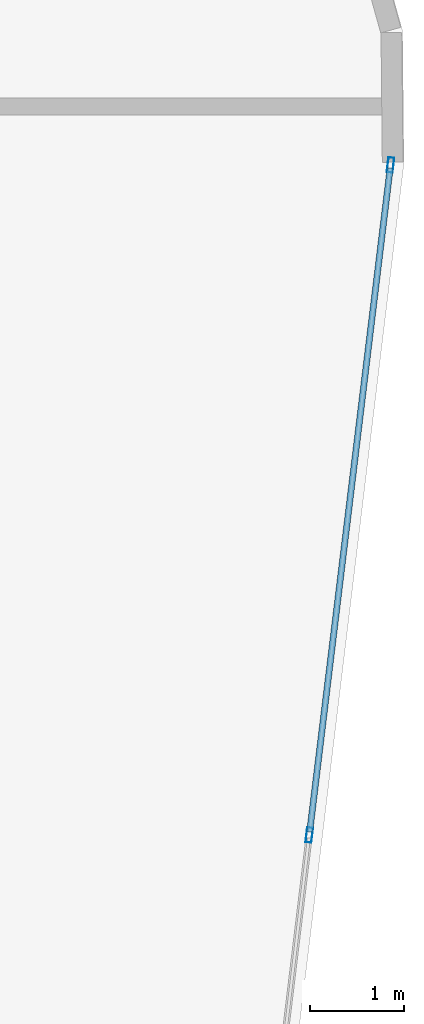
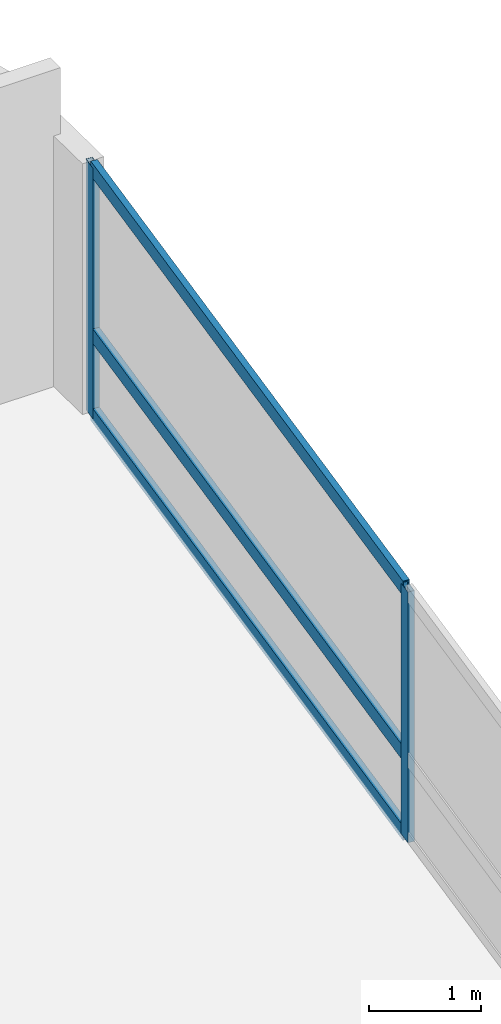
# One storey, part 18 of 25: 5 members, 1 element without a shape of its own.
"""IFC4 building model written with IfcOpenShell, lengths in metres."""

from ifc_helpers import new_model, si_unit, direction, frame, origin, origin_2d, place, context, subcontext, project, spatial, hollow_rectangle, extrude, material, layer, layer_set, material_profile, profile_set, type_object, element, aggregate, save


model = new_model("IFC4")

# Units and contexts
model_context = context("Model", 3, precision=1e-05, world=origin(), true_north=direction((0.0, 1.0)))
body_context = subcontext(model_context, "Body", "Model", "MODEL_VIEW")
ifc_project = project(units=[si_unit("LENGTHUNIT", "METRE"), si_unit("AREAUNIT", "SQUARE_METRE"), si_unit("VOLUMEUNIT", "CUBIC_METRE"), si_unit("PLANEANGLEUNIT", "RADIAN"), si_unit("MASSUNIT", "GRAM", prefix="KILO")], contexts=[model_context])

# Site, building, storey
site_placement = place(None, origin())
site = spatial("IfcSite", under=ifc_project, at=site_placement, CompositionType="ELEMENT")
building_placement = place(site_placement, origin())
building = spatial("IfcBuilding", under=site, at=building_placement, Name="Varnelok Gate Tower", CompositionType="ELEMENT")
storey_placement = place(building_placement, frame((0.0, 0.0, 140.199951171875)))
storey = spatial("IfcBuildingStorey", under=building, at=storey_placement, Name="L35", CompositionType="ELEMENT", Elevation=140.199951171875)

# Curtain wall, members
ifc_material = material(Name="Anodized Aluminum Alloy 6063-T6", Category="aluminium")
ifc_layer = layer(ifc_material, 0.179931640625)
ifc_layer_set = layer_set([ifc_layer], Name="Anodized Aluminum Alloy 6063-T6")
curtain_wall_type = type_object("IfcCurtainWallType", Name="CW3-HOTEL-VISION", PredefinedType="USERDEFINED", material=ifc_layer_set)
curtain_wall_placement = place(storey_placement, origin())
curtain_wall = element("IfcCurtainWall", 1, at=curtain_wall_placement, inside=storey, type_object=curtain_wall_type, Name="L35 East End Vision Curtain Wall", ObjectType="UNITISED CURTAIN WALL", PredefinedType="USERDEFINED")
ifc_material_profile_1 = material_profile(ifc_material, hollow_rectangle(XDim=0.06494140625, YDim=0.159912109375, WallThickness=0.00390625, at=origin_2d()), Name="ALU160X65X4")
ifc_profile_set_1 = profile_set([ifc_material_profile_1], Name="Anodized Aluminum Alloy 6063-T6")
member_type_1 = type_object("IfcMemberType", Name="CW-MULL-160", PredefinedType="MULLION", material=ifc_profile_set_1)
member_1_placement = place(storey_placement, frame((78.153076171875, 38.677001953125, 0.0), z_axis=(0.0, 0.0, 1.0), x_axis=(0.99273188146, -0.120347046212, 0.0)))
member_1 = element("IfcMember", 2, at=member_1_placement, type_object=member_type_1, Name="CW3 mullion 1", PredefinedType="MULLION", context=body_context, shape_type="SweptSolid", body=[
    extrude(hollow_rectangle(XDim=0.06494140625, YDim=0.159912109375, WallThickness=0.00390625, at=origin_2d()), origin(), (0.0, 0.0, 1.0), 2.72998046875),
])
member_2_placement = place(storey_placement, frame((77.290283203125, 31.5615234375, 0.0), z_axis=(0.0, 0.0, 1.0), x_axis=(0.99273188146, -0.120347046212, 0.0)))
member_2 = element("IfcMember", 3, at=member_2_placement, type_object=member_type_1, Name="CW3 mullion 2", PredefinedType="MULLION", context=body_context, shape_type="SweptSolid", body=[
    extrude(hollow_rectangle(XDim=0.06494140625, YDim=0.159912109375, WallThickness=0.00390625, at=origin_2d()), origin(), (0.0, 0.0, 1.0), 2.72998046875),
])
ifc_material_profile_2 = material_profile(ifc_material, hollow_rectangle(XDim=0.06494140625, YDim=0.159912109375, WallThickness=0.00390625, at=origin_2d()), Name="ALU160X65X4")
ifc_profile_set_2 = profile_set([ifc_material_profile_2], Name="Anodized Aluminum Alloy 6063-T6")
member_type_2 = type_object("IfcMemberType", Name="CW-TRAN-160", PredefinedType="USERDEFINED", material=ifc_profile_set_2)
member_3_placement = place(storey_placement, frame((78.149169921875, 38.644775390625, 0.032470703125), z_axis=(-0.120374481497, -0.992728555147, 0.0), x_axis=(0.992728555147, -0.120374481497, 0.0)))
member_3 = element("IfcMember", 4, at=member_3_placement, type_object=member_type_2, Name="CW3 transom 1.1", ObjectType="TRANSOM", PredefinedType="USERDEFINED", context=body_context, shape_type="SweptSolid", body=[
    extrude(hollow_rectangle(XDim=0.06494140625, YDim=0.159912109375, WallThickness=0.00390625, at=origin_2d()), origin(), (0.0, 0.0, 1.0), 7.102783203125),
])
member_4_placement = place(storey_placement, frame((78.149169921875, 38.644775390625, 0.900146484375), z_axis=(-0.120374481497, -0.992728555147, 0.0), x_axis=(0.992728555147, -0.120374481497, 0.0)))
member_4 = element("IfcMember", 5, at=member_4_placement, type_object=member_type_2, Name="CW3 transom 1.2", ObjectType="TRANSOM", PredefinedType="USERDEFINED", context=body_context, shape_type="SweptSolid", body=[
    extrude(hollow_rectangle(XDim=0.06494140625, YDim=0.159912109375, WallThickness=0.00390625, at=origin_2d()), origin(), (0.0, 0.0, 1.0), 7.102783203125),
])
member_5_placement = place(storey_placement, frame((78.149169921875, 38.644775390625, 2.697509765625), z_axis=(-0.120374481497, -0.992728555147, 0.0), x_axis=(0.992728555147, -0.120374481497, 0.0)))
member_5 = element("IfcMember", 6, at=member_5_placement, type_object=member_type_2, Name="CW3 transom 1.3", ObjectType="TRANSOM", PredefinedType="USERDEFINED", context=body_context, shape_type="SweptSolid", body=[
    extrude(hollow_rectangle(XDim=0.06494140625, YDim=0.159912109375, WallThickness=0.00390625, at=origin_2d()), origin(), (0.0, 0.0, 1.0), 7.102783203125),
])
aggregate(curtain_wall, [member_1, member_2, member_3, member_4, member_5])

save(model, "model.ifc")
